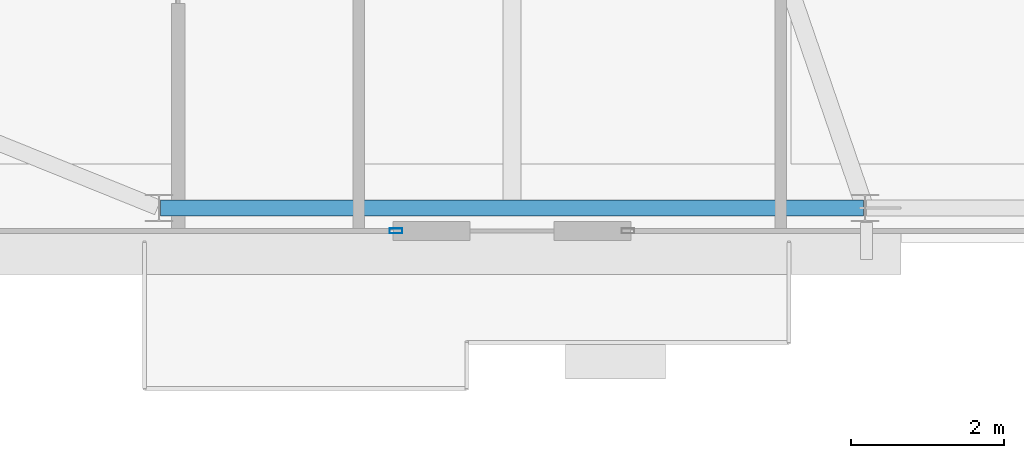
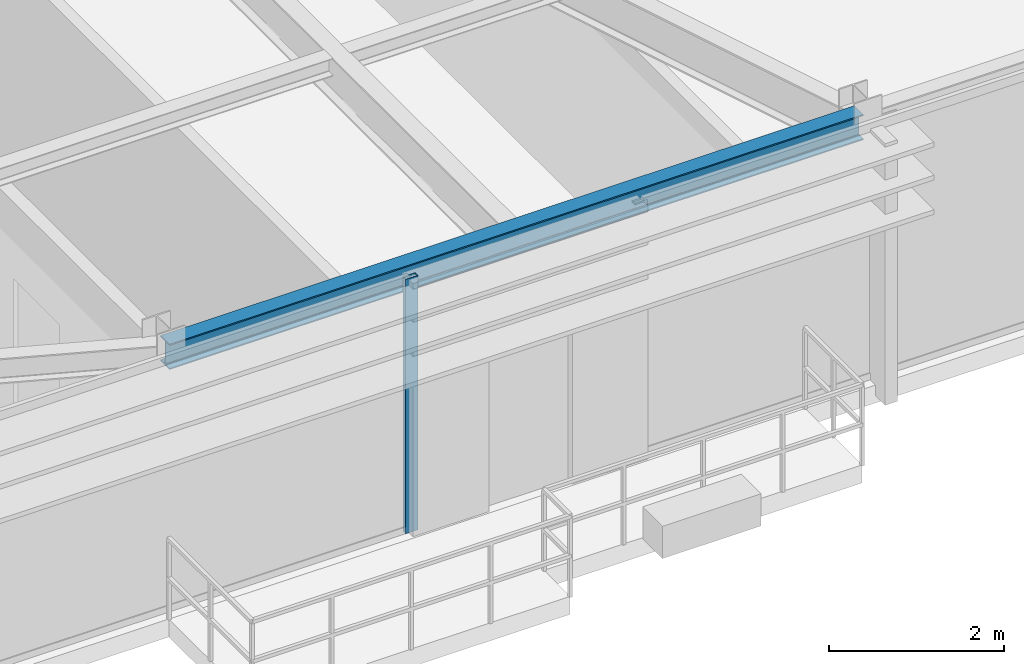
# One storey, part 6 of 30: 1 beam, 1 member, 1 element without a shape of its own.
"""IFC4 building model written with IfcOpenShell, lengths in metres."""

from ifc_helpers import new_model, si_unit, direction, frame, origin, origin_2d, place, context, subcontext, project, spatial, hollow_rectangle, i_section, extrude, source, transform, mapped, material, layer, layer_set, material_profile, profile_set, type_object, type_shapes, element, aggregate, save


model = new_model("IFC4")

# Units and contexts
model_context = context("Model", 3, precision=1e-05, world=origin(), true_north=direction((0.0, 1.0)))
body_context = subcontext(model_context, "Body", "Model", "MODEL_VIEW")
ifc_project = project(units=[si_unit("LENGTHUNIT", "METRE"), si_unit("AREAUNIT", "SQUARE_METRE"), si_unit("VOLUMEUNIT", "CUBIC_METRE"), si_unit("PLANEANGLEUNIT", "RADIAN"), si_unit("MASSUNIT", "GRAM", prefix="KILO")], contexts=[model_context])

# Site, building, storey
site_placement = place(None, origin())
site = spatial("IfcSite", under=ifc_project, at=site_placement, CompositionType="ELEMENT")
building_placement = place(site_placement, origin())
building = spatial("IfcBuilding", under=site, at=building_placement, Name="Varnel Quay Broadcast Tower", CompositionType="ELEMENT")
storey_placement = place(building_placement, frame((0.0, 0.0, 211.199951171875)))
storey = spatial("IfcBuildingStorey", under=building, at=storey_placement, Name="L52", CompositionType="ELEMENT", Elevation=211.199951171875)

# Beam
ifc_material_1 = material(Name="Structural Steel CSA G40.21 350W", Category="steel")
ifc_material_profile_1 = material_profile(ifc_material_1, i_section(OverallWidth=0.205078125, OverallDepth=0.35400390625, WebThickness=0.009521484375, FlangeThickness=0.016845703125, FilletRadius=0.012939453125, at=origin_2d()), Name="W360X79")
ifc_profile_set_1 = profile_set([ifc_material_profile_1], Name="Structural Steel CSA G40.21 350W")
beam_type = type_object("IfcBeamType", Name="Beam_W360X79", PredefinedType="SPANDREL", material=ifc_profile_set_1)
shared_shape_1 = source(origin(), body_context, "Body", "SweptSolid", [
    extrude(i_section(OverallWidth=0.205078125, OverallDepth=0.35400390625, WebThickness=0.009521484375, FlangeThickness=0.016845703125, FilletRadius=0.012939453125, at=origin_2d()), origin(), (0.0, 0.0, 1.0), 9.159912109375),
])
type_shapes(beam_type, [shared_shape_1])
beam_placement = place(storey_placement, frame((20.219970703125, 10.64990234375, 3.373046875), z_axis=(1.0, 0.0, 0.0), x_axis=(0.0, 1.0, 0.0)))
element("IfcBeam", 1, at=beam_placement, inside=storey, type_object=beam_type, Name="L52 South Spandrel TC-S1-TC-S2", PredefinedType="SPANDREL", context=body_context, shape_type="MappedRepresentation", body=[
    mapped(shared_shape_1, transform((0.0, 0.0, 0.0), x_axis=(1.0, 0.0, 0.0), y_axis=(0.0, 1.0, 0.0), z_axis=(0.0, 0.0, 1.0), scale=1.0)),
])

# Curtain wall, member
ifc_material_2 = material(Name="Anodised Bronze Aluminium 6063-T6", Category="aluminium")
ifc_layer = layer(ifc_material_2, 0.18994140625, Name="Anodised Bronze Aluminium 6063-T6")
ifc_layer_set = layer_set([ifc_layer], Name="Anodised Bronze Aluminium 6063-T6")
curtain_wall_type = type_object("IfcCurtainWallType", Name="CW_UpperTower", PredefinedType="NOTDEFINED", material=ifc_layer_set)
curtain_wall_placement = place(storey_placement, origin())
curtain_wall = element("IfcCurtainWall", 2, at=curtain_wall_placement, inside=storey, type_object=curtain_wall_type, Name="L52 South Unitised Curtain Wall 1", PredefinedType="NOTDEFINED")
ifc_material_profile_2 = material_profile(ifc_material_2, hollow_rectangle(XDim=0.06494140625, YDim=0.1650390625, WallThickness=0.00341796875, at=origin_2d()), Name="ALU65X165X3.5")
ifc_profile_set_2 = profile_set([ifc_material_profile_2], Name="Anodised Bronze Aluminium 6063-T6")
member_type = type_object("IfcMemberType", Name="Mull_CWS-03", PredefinedType="MULLION", material=ifc_profile_set_2)
shared_shape_2 = source(origin(), body_context, "Body", "SweptSolid", [
    extrude(hollow_rectangle(XDim=0.06494140625, YDim=0.1650390625, WallThickness=0.00341796875, at=origin_2d()), origin(), (0.0, 0.0, 1.0), 3.550048828125),
])
type_shapes(member_type, [shared_shape_2])
member_placement = place(storey_placement, frame((23.28759765625, 10.35009765625, 0.0), z_axis=(0.0, 0.0, 1.0), x_axis=(0.0, 1.0, 0.0)))
member = element("IfcMember", 3, at=member_placement, type_object=member_type, Name="CWS-03 mullion 2", PredefinedType="MULLION", context=body_context, shape_type="MappedRepresentation", body=[
    mapped(shared_shape_2, transform((0.0, 0.0, 0.0), x_axis=(1.0, 0.0, 0.0), y_axis=(0.0, 1.0, 0.0), z_axis=(0.0, 0.0, 1.0), scale=1.0)),
])
aggregate(curtain_wall, [member])

save(model, "model.ifc")
